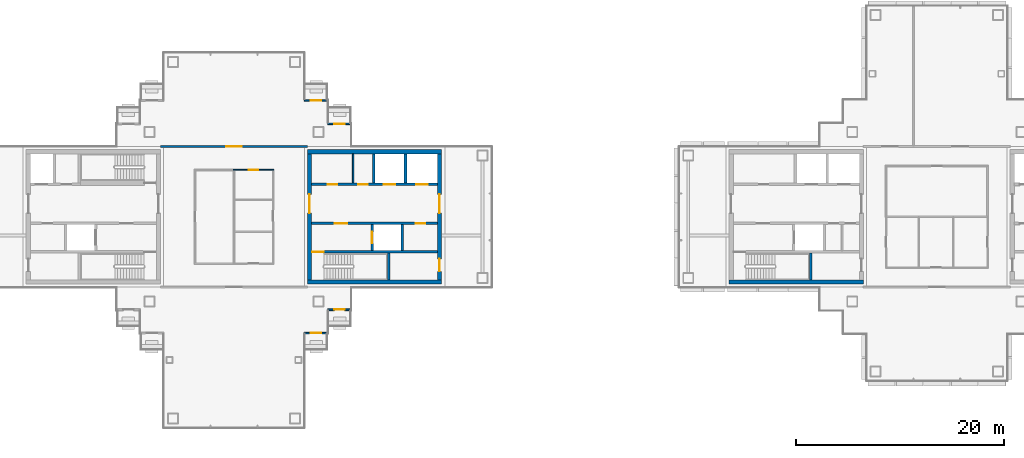
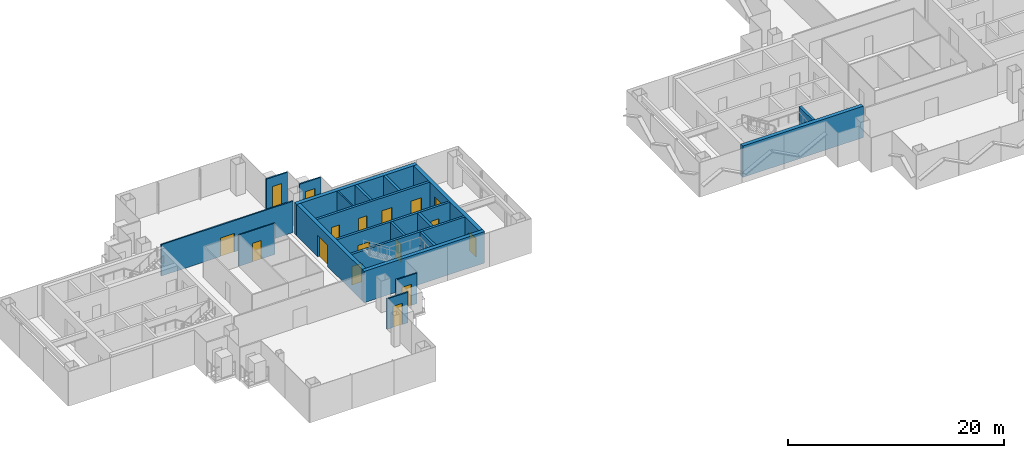
# One storey, part 10 of 17: 21 walls, 17 doors, 17 openings.
"""IFC4 building model written with IfcOpenShell, lengths in metres."""

import ifcopenshell
import ifcopenshell.guid

model = None  # the IFC model being written
_history = None  # IfcOwnerHistory: only IFC2X3 demands one
_inside = {}  # id of a spatial element -> (the spatial element, [elements in it])
_under = {}  # id of a project, library or spatial element -> (it, [spatial elements below it])
_declared = {}  # id of a project -> (the project, [libraries it declares])
_typed = {}  # id of a type object -> (the type object, [elements of that type])
_made_of = {}  # id of a material, layer set ... -> (it, [elements and type objects made of it])


def new_model(schema):
    """Start an empty IFC model of exactly this schema.

    Asked for "IFC4X3", IfcOpenShell would pick the latest addendum, in which some entities
    have other attributes; the version numbers below select the first issue.
    IFC2X3 requires an IfcOwnerHistory on every rooted entity: one is made here for all.
    """
    global model, _history
    if schema == "IFC4X3":
        model = ifcopenshell.file(schema_version=(4, 3, 0, 0))
    else:
        model = ifcopenshell.file(schema=schema)
    _inside.clear()
    _under.clear()
    _declared.clear()
    _typed.clear()
    _made_of.clear()
    _history = None
    if model.schema == "IFC2X3":
        org = make("IfcOrganization", Name="unknown")
        user = make(
            "IfcPersonAndOrganization",
            ThePerson=make("IfcPerson", FamilyName="unknown"),
            TheOrganization=org,
        )
        app = make(
            "IfcApplication",
            ApplicationDeveloper=org,
            Version="unknown",
            ApplicationFullName="unknown",
            ApplicationIdentifier="unknown",
        )
        _history = make(
            "IfcOwnerHistory",
            OwningUser=user,
            OwningApplication=app,
            ChangeAction="ADDED",
            CreationDate=0,
        )
    return model


def make(cls, **values):
    """One entity of the class cls with the attributes given. An attribute that is None is left unset."""
    return model.create_entity(
        cls, **{name: value for name, value in values.items() if value is not None}
    )


def rooted(cls, **values):
    """An entity with a GlobalId (a new one), such as an element, a storey or a relation."""
    return make(cls, GlobalId=ifcopenshell.guid.new(), OwnerHistory=_history, **values)


def si_unit(unit_type, name, prefix=None):
    """IfcSIUnit, for example si_unit("LENGTHUNIT", "METRE", prefix="MILLI")."""
    return make("IfcSIUnit", UnitType=unit_type, Prefix=prefix, Name=name)


def assignment(units):
    """IfcUnitAssignment: the units of a project."""
    return None if units is None else make("IfcUnitAssignment", Units=units)


def point(xyz):
    """IfcCartesianPoint."""
    return None if xyz is None else make("IfcCartesianPoint", Coordinates=xyz)


def direction(xyz):
    """IfcDirection."""
    return None if xyz is None else make("IfcDirection", DirectionRatios=xyz)


def frame(location, z_axis=None, x_axis=None):
    """IfcAxis2Placement3D, a coordinate frame: its origin and axes. An axis left out is left unset."""
    return make(
        "IfcAxis2Placement3D",
        Location=point(location),
        Axis=direction(z_axis),
        RefDirection=direction(x_axis),
    )


def frame_2d(location, x_axis=None):
    """IfcAxis2Placement2D, a coordinate frame in the plane: its origin and x axis."""
    return make(
        "IfcAxis2Placement2D", Location=point(location), RefDirection=direction(x_axis)
    )


def origin():
    """The frame at (0, 0, 0) with its axes left unset."""
    return frame((0.0, 0.0, 0.0))


def place(relative_to, where):
    """IfcLocalPlacement: puts the frame where relative to a parent placement (None: the world)."""
    return make(
        "IfcLocalPlacement", PlacementRelTo=relative_to, RelativePlacement=where
    )


def context(
    kind, dimensions, precision=None, world=None, true_north=None, identifier=None
):
    """IfcGeometricRepresentationContext, for example the 3D "Model" context."""
    return make(
        "IfcGeometricRepresentationContext",
        ContextIdentifier=identifier,
        ContextType=kind,
        CoordinateSpaceDimension=dimensions,
        Precision=precision,
        WorldCoordinateSystem=world,
        TrueNorth=true_north,
    )


def subcontext(parent, identifier, kind, view, scale=None):
    """IfcGeometricRepresentationSubContext, for example "Body" below "Model"."""
    return make(
        "IfcGeometricRepresentationSubContext",
        ContextIdentifier=identifier,
        ContextType=kind,
        ParentContext=parent,
        TargetScale=scale,
        TargetView=view,
    )


def project(units=None, contexts=None):
    """IfcProject with its units and contexts."""
    return rooted(
        "IfcProject",
        Name="project",
        RepresentationContexts=contexts,
        UnitsInContext=assignment(units),
    )


def spatial(cls, under=None, at=None, **own):
    """A site, building, storey or space (cls), placed at a placement, below another one or the project."""
    s = rooted(cls, ObjectPlacement=at, **own)
    if under is not None:
        _under.setdefault(under.id(), (under, []))[1].append(s)
    return s


def profile(cls, at=None, kind="AREA", **sizes):
    """A parametric profile (cls). Its sizes go by their IFC names, for example OverallWidth=200.0."""
    return make(cls, ProfileType=kind, Position=at, **sizes)


def rectangle(**sizes):
    """IfcRectangleProfileDef."""
    return profile("IfcRectangleProfileDef", **sizes)


def extrude(swept, where, along, depth):
    """IfcExtrudedAreaSolid: the profile swept, set in the frame where, extruded along a direction by depth."""
    return make(
        "IfcExtrudedAreaSolid",
        SweptArea=swept,
        Position=where,
        ExtrudedDirection=direction(along),
        Depth=depth,
    )


def shape(context_of_items, identifier, shape_type, items):
    """IfcShapeRepresentation: the items that make up one representation, for example the "Body"."""
    return make(
        "IfcShapeRepresentation",
        ContextOfItems=context_of_items,
        RepresentationIdentifier=identifier,
        RepresentationType=shape_type,
        Items=items,
    )


def material(Name=None, Category=None):
    """IfcMaterial."""
    return make("IfcMaterial", Name=Name, Category=Category)


def layer(
    of_material, thickness, ventilated=None, Name=None, Category=None, Priority=None
):
    """IfcMaterialLayer: one layer of a wall or slab, of a material (None: an air gap)."""
    return make(
        "IfcMaterialLayer",
        Material=of_material,
        LayerThickness=thickness,
        IsVentilated=ventilated,
        Name=Name,
        Category=Category,
        Priority=Priority,
    )


def layer_set(layers, Name=None):
    """IfcMaterialLayerSet."""
    return make("IfcMaterialLayerSet", MaterialLayers=layers, LayerSetName=Name)


def made_of(thing, what):
    """Note that an element or type object is made of a material, layer set ...; save() writes the relation."""
    if what is not None:
        _made_of.setdefault(what.id(), (what, []))[1].append(thing)
    return thing


def type_object(cls, material=None, **own):
    """A type object (cls), such as IfcWallType, which elements share."""
    return made_of(rooted(cls, **own), material)


def element(
    cls,
    number,
    at=None,
    inside=None,
    cuts=None,
    type_object=None,
    material=None,
    context=None,
    identifier="Body",
    shape_type=None,
    held_by="IfcProductDefinitionShape",
    body=None,
    shapes=None,
    **own,
):
    """One element of the class cls, such as IfcWall. Its Tag is "e" and its number.

    at: its placement. inside: the storey or other place that contains it. cuts: it is an
    opening in that element (IfcRelVoidsElement). A single representation is given by context,
    identifier, shape_type and body (its items); several are given by shapes. held_by: the class
    of the entity that holds the representations. save() writes the other relations.
    """
    e = rooted(cls, Tag="e%d" % number, ObjectPlacement=at, **own)
    if body is not None:
        shapes = [shape(context, identifier, shape_type, body)]
    if shapes is not None:
        e.Representation = make(held_by, Representations=shapes)
    if inside is not None:
        _inside.setdefault(inside.id(), (inside, []))[1].append(e)
    if cuts is not None:
        rooted(
            "IfcRelVoidsElement", RelatingBuildingElement=cuts, RelatedOpeningElement=e
        )
    if type_object is not None:
        _typed.setdefault(type_object.id(), (type_object, []))[1].append(e)
    return made_of(e, material)


def fill(opening, filler):
    """IfcRelFillsElement: the door or window that sits in an opening."""
    return rooted(
        "IfcRelFillsElement",
        RelatingOpeningElement=opening,
        RelatedBuildingElement=filler,
    )


def aggregate(whole, parts):
    """IfcRelAggregates: a whole, such as a stair, and the parts it consists of."""
    return rooted("IfcRelAggregates", RelatingObject=whole, RelatedObjects=parts)


def save(model, path):
    """Write the relations noted so far, then the file.

    IfcRelAggregates (storeys below a building ...), IfcRelContainedInSpatialStructure (elements
    in a storey), IfcRelDefinesByType, IfcRelAssociatesMaterial and IfcRelDeclares: one each for
    every whole, place, type object, material and project.
    """
    for whole, parts in _under.values():
        aggregate(whole, parts)
    for where, things in _inside.values():
        rooted(
            "IfcRelContainedInSpatialStructure",
            RelatedElements=things,
            RelatingStructure=where,
        )
    for kind, things in _typed.values():
        rooted("IfcRelDefinesByType", RelatedObjects=things, RelatingType=kind)
    for what, things in _made_of.values():
        rooted("IfcRelAssociatesMaterial", RelatedObjects=things, RelatingMaterial=what)
    for by, libraries in _declared.values():
        rooted("IfcRelDeclares", RelatingContext=by, RelatedDefinitions=libraries)
    model.write(path)


model = new_model("IFC4")

# Units and contexts
model_context = context("Model", 3, precision=1e-05, world=origin(), true_north=direction((0.0, 1.0)))
body_context = subcontext(model_context, "Body", "Model", "MODEL_VIEW")
ifc_project = project(units=[si_unit("LENGTHUNIT", "METRE"), si_unit("AREAUNIT", "SQUARE_METRE"), si_unit("VOLUMEUNIT", "CUBIC_METRE"), si_unit("PLANEANGLEUNIT", "RADIAN"), si_unit("MASSUNIT", "GRAM", prefix="KILO")], contexts=[model_context])

# Site, building, storey
site_placement = place(None, origin())
site = spatial("IfcSite", under=ifc_project, at=site_placement, CompositionType="ELEMENT")
building_placement = place(site_placement, origin())
building = spatial("IfcBuilding", under=site, at=building_placement, Name="Shamsa Quay Exchange Towers", CompositionType="ELEMENT")
storey_placement = place(building_placement, frame((0.0, 0.0, 217.800048828125)))
storey = spatial("IfcBuildingStorey", under=building, at=storey_placement, Name="L52", CompositionType="ELEMENT", Elevation=217.800048828125)

# Wall, opening, door
ifc_material_1 = material(Name="Aluminium EN AW-6063 T6, black anodised, with black enamelled glass infill", Category="aluminium")
ifc_layer_1 = layer(ifc_material_1, 0.14990234375)
ifc_layer_set_1 = layer_set([ifc_layer_1], Name="BALCONY DOOR BAY WALL 150")
wall_type_1 = type_object("IfcWallType", Name="BALCONY DOOR BAY WALL 150", PredefinedType="SOLIDWALL", material=ifc_layer_set_1)
wall_1_placement = place(storey_placement, frame((-24.75, 8.925048828125, 0.0)))
wall_1 = element("IfcWall", 1, at=wall_1_placement, inside=storey, type_object=wall_type_1, Name="Door bay T1-PKEN L52", PredefinedType="SOLIDWALL", context=body_context, shape_type="SweptSolid", body=[
    extrude(rectangle(XDim=2.25, YDim=0.14990234375, at=frame_2d((1.125, 0.0))), origin(), (0.0, 0.0, 1.0), 3.449951171875),
])
opening_1_placement = place(wall_1_placement, frame((0.625, 0.0, 0.0)))
opening_1 = element("IfcOpeningElement", 2, at=opening_1_placement, cuts=wall_1, Name="Opening XD345", PredefinedType="OPENING", context=body_context, shape_type="SweptSolid", body=[
    extrude(rectangle(XDim=1.0, YDim=2.39990234375, at=frame_2d((0.5, 1.199951171875))), frame((0.0, 0.0849609375, 0.0), z_axis=(0.0, -1.0, 0.0), x_axis=(1.0, 0.0, 0.0)), (0.0, 0.0, 1.0), 0.169921875),
])
ifc_material_2 = material(Name="Aluminium EN AW-6063 T6, black anodised, with laminated glass leaf", Category="aluminium")
door_type_1 = type_object("IfcDoorType", Name="BALCONY DOOR 1000x2400", OperationType="SINGLE_SWING_LEFT", PredefinedType="DOOR", material=ifc_material_2)
door_1_placement = place(opening_1_placement, origin())
door_1 = element("IfcDoor", 3, at=door_1_placement, inside=storey, type_object=door_type_1, Name="Balcony door T1-PKEN L52", OperationType="SINGLE_SWING_RIGHT", OverallHeight=2.39990234375, OverallWidth=1.0, PredefinedType="DOOR", context=body_context, shape_type="SweptSolid", body=[
    extrude(rectangle(XDim=1.0, YDim=2.39990234375, at=frame_2d((0.5, 1.199951171875))), frame((0.0, 0.02490234375, 0.0), z_axis=(0.0, -1.0, 0.0), x_axis=(1.0, 0.0, 0.0)), (0.0, 0.0, 1.0), 0.050048828125),
])
fill(opening_1, door_1)

wall_2_placement = place(storey_placement, frame((-27.0, 11.175048828125, 0.0)))
wall_2 = element("IfcWall", 4, at=wall_2_placement, inside=storey, type_object=wall_type_1, Name="Door bay T1-PKEN L52", PredefinedType="SOLIDWALL", context=body_context, shape_type="SweptSolid", body=[
    extrude(rectangle(XDim=2.25, YDim=0.14990234375, at=frame_2d((1.125, 0.0))), origin(), (0.0, 0.0, 1.0), 3.449951171875),
])
opening_2_placement = place(wall_2_placement, frame((0.625, 0.0, 0.0)))
opening_2 = element("IfcOpeningElement", 5, at=opening_2_placement, cuts=wall_2, Name="Opening XD346", PredefinedType="OPENING", context=body_context, shape_type="SweptSolid", body=[
    extrude(rectangle(XDim=1.0, YDim=2.39990234375, at=frame_2d((0.5, 1.199951171875))), frame((0.0, 0.0849609375, 0.0), z_axis=(0.0, -1.0, 0.0), x_axis=(1.0, 0.0, 0.0)), (0.0, 0.0, 1.0), 0.169921875),
])
door_2_placement = place(opening_2_placement, origin())
door_2 = element("IfcDoor", 6, at=door_2_placement, inside=storey, type_object=door_type_1, Name="Balcony door T1-PKEN L52", OperationType="SINGLE_SWING_LEFT", OverallHeight=2.39990234375, OverallWidth=1.0, PredefinedType="DOOR", context=body_context, shape_type="SweptSolid", body=[
    extrude(rectangle(XDim=1.0, YDim=2.39990234375, at=frame_2d((0.5, 1.199951171875))), frame((0.0, 0.02490234375, 0.0), z_axis=(0.0, -1.0, 0.0), x_axis=(1.0, 0.0, 0.0)), (0.0, 0.0, 1.0), 0.050048828125),
])
fill(opening_2, door_2)

wall_3_placement = place(storey_placement, frame((-22.5, -8.925048828125, 0.0), z_axis=(0.0, 0.0, 1.0), x_axis=(-1.0, 0.0, 0.0)))
wall_3 = element("IfcWall", 7, at=wall_3_placement, inside=storey, type_object=wall_type_1, Name="Door bay T1-PKES L52", PredefinedType="SOLIDWALL", context=body_context, shape_type="SweptSolid", body=[
    extrude(rectangle(XDim=2.25, YDim=0.14990234375, at=frame_2d((1.125, 0.0))), origin(), (0.0, 0.0, 1.0), 3.449951171875),
])
opening_3_placement = place(wall_3_placement, frame((0.625, 0.0, 0.0)))
opening_3 = element("IfcOpeningElement", 8, at=opening_3_placement, cuts=wall_3, Name="Opening XD347", PredefinedType="OPENING", context=body_context, shape_type="SweptSolid", body=[
    extrude(rectangle(XDim=1.0, YDim=2.39990234375, at=frame_2d((0.5, 1.199951171875))), frame((0.0, 0.0849609375, 0.0), z_axis=(0.0, -1.0, 0.0), x_axis=(1.0, 0.0, 0.0)), (0.0, 0.0, 1.0), 0.169921875),
])
door_3_placement = place(opening_3_placement, origin())
door_3 = element("IfcDoor", 9, at=door_3_placement, inside=storey, type_object=door_type_1, Name="Balcony door T1-PKES L52", OperationType="SINGLE_SWING_RIGHT", OverallHeight=2.39990234375, OverallWidth=1.0, PredefinedType="DOOR", context=body_context, shape_type="SweptSolid", body=[
    extrude(rectangle(XDim=1.0, YDim=2.39990234375, at=frame_2d((0.5, 1.199951171875))), frame((0.0, 0.02490234375, 0.0), z_axis=(0.0, -1.0, 0.0), x_axis=(1.0, 0.0, 0.0)), (0.0, 0.0, 1.0), 0.050048828125),
])
fill(opening_3, door_3)

wall_4_placement = place(storey_placement, frame((-24.75, -11.175048828125, 0.0), z_axis=(0.0, 0.0, 1.0), x_axis=(-1.0, 0.0, 0.0)))
wall_4 = element("IfcWall", 10, at=wall_4_placement, inside=storey, type_object=wall_type_1, Name="Door bay T1-PKES L52", PredefinedType="SOLIDWALL", context=body_context, shape_type="SweptSolid", body=[
    extrude(rectangle(XDim=2.25, YDim=0.14990234375, at=frame_2d((1.125, 0.0))), origin(), (0.0, 0.0, 1.0), 3.449951171875),
])
opening_4_placement = place(wall_4_placement, frame((0.625, 0.0, 0.0)))
opening_4 = element("IfcOpeningElement", 11, at=opening_4_placement, cuts=wall_4, Name="Opening XD348", PredefinedType="OPENING", context=body_context, shape_type="SweptSolid", body=[
    extrude(rectangle(XDim=1.0, YDim=2.39990234375, at=frame_2d((0.5, 1.199951171875))), frame((0.0, 0.0849609375, 0.0), z_axis=(0.0, -1.0, 0.0), x_axis=(1.0, 0.0, 0.0)), (0.0, 0.0, 1.0), 0.169921875),
])
door_4_placement = place(opening_4_placement, origin())
door_4 = element("IfcDoor", 12, at=door_4_placement, inside=storey, type_object=door_type_1, Name="Balcony door T1-PKES L52", OperationType="SINGLE_SWING_LEFT", OverallHeight=2.39990234375, OverallWidth=1.0, PredefinedType="DOOR", context=body_context, shape_type="SweptSolid", body=[
    extrude(rectangle(XDim=1.0, YDim=2.39990234375, at=frame_2d((0.5, 1.199951171875))), frame((0.0, 0.02490234375, 0.0), z_axis=(0.0, -1.0, 0.0), x_axis=(1.0, 0.0, 0.0)), (0.0, 0.0, 1.0), 0.050048828125),
])
fill(opening_4, door_4)

# Walls
ifc_material_3 = material(Name="Concrete C60/75", Category="concrete")
ifc_layer_2 = layer(ifc_material_3, 0.39990234375)
ifc_layer_set_2 = layer_set([ifc_layer_2], Name="CORE WALL 400 C60/75")
wall_type_2 = type_object("IfcWallType", Name="CORE WALL 400 C60/75", PredefinedType="SHEAR", material=ifc_layer_set_2)
for number, where, name in (
    (13, (-26.699951171875, -6.25, 0.0), "Core wall T1A-R24-PS"),
    (14, (-26.699951171875, 6.25, 0.0), "Core wall T1A-R24-PN"),
):
    element("IfcWall", number, at=place(storey_placement, frame(where)), inside=storey, type_object=wall_type_2, Name=name, PredefinedType="SHEAR", context=body_context, shape_type="SweptSolid", body=[
        extrude(rectangle(XDim=12.89990234375, YDim=0.39990234375, at=frame_2d((6.449951171875, 0.0))), origin(), (0.0, 0.0, 1.0), 3.550048828125),
    ])

# Wall, opening, door
wall_5_placement = place(storey_placement, frame((-26.5, 6.050048828125, 0.0), z_axis=(0.0, 0.0, 1.0), x_axis=(0.0, -1.0, 0.0)))
wall_5 = element("IfcWall", 15, at=wall_5_placement, inside=storey, type_object=wall_type_2, Name="Core wall T1A-R24-PF", PredefinedType="SHEAR", context=body_context, shape_type="SweptSolid", body=[
    extrude(rectangle(XDim=12.10009765625, YDim=0.39990234375, at=frame_2d((6.050048828125, 0.0))), origin(), (0.0, 0.0, 1.0), 3.550048828125),
])
opening_5_placement = place(wall_5_placement, frame((3.89990234375, 0.0, 0.0)))
opening_5 = element("IfcOpeningElement", 16, at=opening_5_placement, cuts=wall_5, Name="Opening T1A-R24-LBD01", PredefinedType="OPENING", context=body_context, shape_type="SweptSolid", body=[
    extrude(rectangle(XDim=1.800048828125, YDim=2.39990234375, at=frame_2d((0.89990234375, 1.199951171875))), frame((0.0, 0.2099609375, 0.0), z_axis=(0.0, -1.0, 0.0), x_axis=(1.0, 0.0, 0.0)), (0.0, 0.0, 1.0), 0.419921875),
])
ifc_material_4 = material(Name="Steel, fire rated", Category="steel")
door_type_2 = type_object("IfcDoorType", Name="LIFT LOBBY DOOR PAIR 1800", OperationType="DOUBLE_DOOR_SINGLE_SWING", PredefinedType="DOOR", material=ifc_material_4)
door_5_placement = place(opening_5_placement, origin())
door_5 = element("IfcDoor", 17, at=door_5_placement, inside=storey, type_object=door_type_2, Name="T1A-R24-LBD01", OperationType="DOUBLE_DOOR_SINGLE_SWING", OverallHeight=2.39990234375, OverallWidth=1.800048828125, PredefinedType="DOOR", context=body_context, shape_type="SweptSolid", body=[
    extrude(rectangle(XDim=1.800048828125, YDim=2.39990234375, at=frame_2d((0.89990234375, 1.199951171875))), frame((0.0, 0.02490234375, 0.0), z_axis=(0.0, -1.0, 0.0), x_axis=(1.0, 0.0, 0.0)), (0.0, 0.0, 1.0), 0.050048828125),
])
fill(opening_5, door_5)

# Wall, openings, doors
wall_6_placement = place(storey_placement, frame((-14.0, 6.050048828125, 0.0), z_axis=(0.0, 0.0, 1.0), x_axis=(0.0, -1.0, 0.0)))
wall_6 = element("IfcWall", 18, at=wall_6_placement, inside=storey, type_object=wall_type_2, Name="Core wall T1A-R24-PB", PredefinedType="SHEAR", context=body_context, shape_type="SweptSolid", body=[
    extrude(rectangle(XDim=12.10009765625, YDim=0.39990234375, at=frame_2d((6.050048828125, 0.0))), origin(), (0.0, 0.0, 1.0), 3.550048828125),
])
opening_6_placement = place(wall_6_placement, frame((10.10009765625, 0.0, 0.0)))
opening_6 = element("IfcOpeningElement", 19, at=opening_6_placement, cuts=wall_6, Name="Opening T1A-R24-RD02", PredefinedType="OPENING", context=body_context, shape_type="SweptSolid", body=[
    extrude(rectangle(XDim=1.199951171875, YDim=2.10009765625, at=frame_2d((0.60009765625, 1.050048828125))), frame((0.0, 0.2099609375, 0.0), z_axis=(0.0, -1.0, 0.0), x_axis=(1.0, 0.0, 0.0)), (0.0, 0.0, 1.0), 0.419921875),
])
opening_7_placement = place(wall_6_placement, frame((3.89990234375, 0.0, 0.0)))
opening_7 = element("IfcOpeningElement", 20, at=opening_7_placement, cuts=wall_6, Name="Opening T1A-R24-LBD03", PredefinedType="OPENING", context=body_context, shape_type="SweptSolid", body=[
    extrude(rectangle(XDim=1.800048828125, YDim=2.39990234375, at=frame_2d((0.89990234375, 1.199951171875))), frame((0.0, 0.2099609375, 0.0), z_axis=(0.0, -1.0, 0.0), x_axis=(1.0, 0.0, 0.0)), (0.0, 0.0, 1.0), 0.419921875),
])
door_6_placement = place(opening_7_placement, origin())
door_6 = element("IfcDoor", 21, at=door_6_placement, inside=storey, type_object=door_type_2, Name="T1A-R24-LBD03", OperationType="DOUBLE_DOOR_SINGLE_SWING", OverallHeight=2.39990234375, OverallWidth=1.800048828125, PredefinedType="DOOR", context=body_context, shape_type="SweptSolid", body=[
    extrude(rectangle(XDim=1.800048828125, YDim=2.39990234375, at=frame_2d((0.89990234375, 1.199951171875))), frame((0.0, 0.02490234375, 0.0), z_axis=(0.0, -1.0, 0.0), x_axis=(1.0, 0.0, 0.0)), (0.0, 0.0, 1.0), 0.050048828125),
])
fill(opening_7, door_6)
door_type_3 = type_object("IfcDoorType", Name="RISER ACCESS DOOR 1200", OperationType="SINGLE_SWING_LEFT", PredefinedType="DOOR", material=ifc_material_4)
door_7_placement = place(opening_6_placement, origin())
door_7 = element("IfcDoor", 22, at=door_7_placement, inside=storey, type_object=door_type_3, Name="T1A-R24-RD02", OperationType="SINGLE_SWING_RIGHT", OverallHeight=2.10009765625, OverallWidth=1.199951171875, PredefinedType="DOOR", context=body_context, shape_type="SweptSolid", body=[
    extrude(rectangle(XDim=1.199951171875, YDim=2.10009765625, at=frame_2d((0.60009765625, 1.050048828125))), frame((0.0, 0.02490234375, 0.0), z_axis=(0.0, -1.0, 0.0), x_axis=(1.0, 0.0, 0.0)), (0.0, 0.0, 1.0), 0.050048828125),
])
fill(opening_6, door_7)

# Walls
wall_7_placement = place(storey_placement, frame((13.800048828125, -6.25, 0.0)))
element("IfcWall", 23, at=wall_7_placement, inside=storey, type_object=wall_type_2, Name="Core wall T2A-R24-PS", PredefinedType="SHEAR", context=body_context, shape_type="SweptSolid", body=[
    extrude(rectangle(XDim=12.89990234375, YDim=0.39990234375, at=frame_2d((6.449951171875, 0.0))), origin(), (0.0, 0.0, 1.0), 3.550048828125),
])
ifc_material_5 = material(Name="Gypsum board on steel studs, EI 60", Category="steel")
ifc_layer_3 = layer(ifc_material_5, 0.14990234375)
ifc_layer_set_3 = layer_set([ifc_layer_3], Name="FIRE PARTITION 150")
wall_type_3 = type_object("IfcWallType", Name="FIRE PARTITION 150", PredefinedType="PARTITIONING", material=ifc_layer_set_3)
wall_8_placement = place(storey_placement, frame((-22.300048828125, 3.25, 0.0), z_axis=(0.0, 0.0, 1.0), x_axis=(0.0, 1.0, 0.0)))
element("IfcWall", 24, at=wall_8_placement, inside=storey, type_object=wall_type_3, Name="Partition T1A-R24-FC0", PredefinedType="PARTITIONING", context=body_context, shape_type="SweptSolid", body=[
    extrude(rectangle(XDim=2.800048828125, YDim=0.14990234375, at=frame_2d((1.39990234375, 0.0))), origin(), (0.0, 0.0, 1.0), 3.550048828125),
])

# Wall, opening, door
ifc_material_6 = material(Name="Gypsum board partition on metal studs")
ifc_layer_4 = layer(ifc_material_6, 0.10009765625)
ifc_layer_set_4 = layer_set([ifc_layer_4], Name="Partition 100 mm NOT RATED")
wall_type_4 = type_object("IfcWallType", Name="Partition 100 mm NOT RATED", PredefinedType="PARTITIONING", material=ifc_layer_set_4)
wall_9_placement = place(storey_placement, frame((-29.949951171875, 4.5, 0.0), z_axis=(0.0, 0.0, 1.0), x_axis=(-1.0, 0.0, 0.0)))
wall_9 = element("IfcWall", 25, at=wall_9_placement, inside=storey, type_object=wall_type_4, Name="Partition T1-R24-W06", PredefinedType="PARTITIONING", context=body_context, shape_type="SweptSolid", body=[
    extrude(rectangle(XDim=3.862548828125, YDim=0.10009765625, at=frame_2d((1.93115234375, 0.0))), origin(), (0.0, 0.0, 1.0), 3.550048828125),
])
opening_8_placement = place(wall_9_placement, frame((1.47509765625, 0.0, 0.0)))
opening_8 = element("IfcOpeningElement", 26, at=opening_8_placement, cuts=wall_9, Name="Opening T1-R24-D05", PredefinedType="OPENING", context=body_context, shape_type="SweptSolid", body=[
    extrude(rectangle(XDim=0.89990234375, YDim=2.10009765625, at=frame_2d((0.449951171875, 1.050048828125))), frame((0.0, 0.06005859375, 0.0), z_axis=(0.0, -1.0, 0.0), x_axis=(1.0, 0.0, 0.0)), (0.0, 0.0, 1.0), 0.1201171875),
])
ifc_material_7 = material(Name="Timber door leaf in a metal frame", Category="wood")
door_type_4 = type_object("IfcDoorType", Name="Door 900x2100 NOT RATED", OperationType="NOTDEFINED", PredefinedType="DOOR", material=ifc_material_7)
door_8_placement = place(opening_8_placement, origin())
door_8 = element("IfcDoor", 27, at=door_8_placement, inside=storey, type_object=door_type_4, Name="Door T1-R24-D05", OperationType="SINGLE_SWING_LEFT", OverallHeight=2.10009765625, OverallWidth=0.89990234375, PredefinedType="DOOR", context=body_context, shape_type="SweptSolid", body=[
    extrude(rectangle(XDim=0.89990234375, YDim=2.10009765625, at=frame_2d((0.449951171875, 1.050048828125))), frame((0.0, 0.02490234375, 0.0), z_axis=(0.0, -1.0, 0.0), x_axis=(1.0, 0.0, 0.0)), (0.0, 0.0, 1.0), 0.050048828125),
])
fill(opening_8, door_8)

ifc_layer_5 = layer(ifc_material_6, 0.14990234375)
ifc_layer_set_5 = layer_set([ifc_layer_5], Name="Partition 150 mm EI 60")
wall_type_5 = type_object("IfcWallType", Name="Partition 150 mm EI 60", PredefinedType="PARTITIONING", material=ifc_layer_set_5)
wall_10_placement = place(storey_placement, frame((-40.800048828125, 6.75, 0.0)))
wall_10 = element("IfcWall", 28, at=wall_10_placement, inside=storey, type_object=wall_type_5, Name="Partition T1-R24-W07", PredefinedType="PARTITIONING", context=body_context, shape_type="SweptSolid", body=[
    extrude(rectangle(XDim=14.10009765625, YDim=0.14990234375, at=frame_2d((7.050048828125, 0.0))), origin(), (0.0, 0.0, 1.0), 3.550048828125),
])
opening_9_placement = place(wall_10_placement, frame((6.300048828125, 0.0, 0.0)))
opening_9 = element("IfcOpeningElement", 29, at=opening_9_placement, cuts=wall_10, Name="Opening T1-R24-D01", PredefinedType="OPENING", context=body_context, shape_type="SweptSolid", body=[
    extrude(rectangle(XDim=1.5, YDim=2.10009765625, at=frame_2d((0.75, 1.050048828125))), frame((0.0, 0.0849609375, 0.0), z_axis=(0.0, -1.0, 0.0), x_axis=(1.0, 0.0, 0.0)), (0.0, 0.0, 1.0), 0.169921875),
])
door_type_5 = type_object("IfcDoorType", Name="Door 1500x2100 FD30S pair", OperationType="NOTDEFINED", PredefinedType="DOOR", material=ifc_material_7)
door_9_placement = place(opening_9_placement, origin())
door_9 = element("IfcDoor", 30, at=door_9_placement, inside=storey, type_object=door_type_5, Name="Door T1-R24-D01", OperationType="DOUBLE_DOOR_SINGLE_SWING", OverallHeight=2.10009765625, OverallWidth=1.5, PredefinedType="DOOR", context=body_context, shape_type="SweptSolid", body=[
    extrude(rectangle(XDim=1.5, YDim=2.10009765625, at=frame_2d((0.75, 1.050048828125))), frame((0.0, 0.02490234375, 0.0), z_axis=(0.0, -1.0, 0.0), x_axis=(1.0, 0.0, 0.0)), (0.0, 0.0, 1.0), 0.050048828125),
])
fill(opening_9, door_9)

ifc_material_8 = material(Name="Concrete C50/60", Category="concrete")
ifc_layer_6 = layer(ifc_material_8, 0.25)
ifc_layer_set_6 = layer_set([ifc_layer_6], Name="SHAFT WALL 250 C50/60")
wall_type_6 = type_object("IfcWallType", Name="SHAFT WALL 250 C50/60", PredefinedType="SHEAR", material=ifc_layer_set_6)
wall_11_placement = place(storey_placement, frame((-14.199951171875, -3.375, 0.0), z_axis=(0.0, 0.0, 1.0), x_axis=(-1.0, 0.0, 0.0)))
wall_11 = element("IfcWall", 31, at=wall_11_placement, inside=storey, type_object=wall_type_6, Name="Shaft wall T1A-R24-STL", PredefinedType="SHEAR", context=body_context, shape_type="SweptSolid", body=[
    extrude(rectangle(XDim=12.10009765625, YDim=0.25, at=frame_2d((6.050048828125, 0.0))), origin(), (0.0, 0.0, 1.0), 3.550048828125),
])
opening_10_placement = place(wall_11_placement, frame((10.949951171875, 0.0, 0.0)))
opening_10 = element("IfcOpeningElement", 32, at=opening_10_placement, cuts=wall_11, Name="Opening T1A-R24-SD04", PredefinedType="OPENING", context=body_context, shape_type="SweptSolid", body=[
    extrude(rectangle(XDim=1.10009765625, YDim=2.10009765625, at=frame_2d((0.550048828125, 1.050048828125))), frame((0.0, 0.135009765625, 0.0), z_axis=(0.0, -1.0, 0.0), x_axis=(1.0, 0.0, 0.0)), (0.0, 0.0, 1.0), 0.27001953125),
])
door_type_6 = type_object("IfcDoorType", Name="STAIR DOOR 1100", OperationType="SINGLE_SWING_LEFT", PredefinedType="DOOR", material=ifc_material_4)
door_10_placement = place(opening_10_placement, origin())
door_10 = element("IfcDoor", 33, at=door_10_placement, inside=storey, type_object=door_type_6, Name="T1A-R24-SD04", OperationType="SINGLE_SWING_RIGHT", OverallHeight=2.10009765625, OverallWidth=1.10009765625, PredefinedType="DOOR", context=body_context, shape_type="SweptSolid", body=[
    extrude(rectangle(XDim=1.10009765625, YDim=2.10009765625, at=frame_2d((0.550048828125, 1.050048828125))), frame((0.0, 0.02490234375, 0.0), z_axis=(0.0, -1.0, 0.0), x_axis=(1.0, 0.0, 0.0)), (0.0, 0.0, 1.0), 0.050048828125),
])
fill(opening_10, door_10)

# Wall
wall_12_placement = place(storey_placement, frame((-18.875, -6.050048828125, 0.0), z_axis=(0.0, 0.0, 1.0), x_axis=(0.0, 1.0, 0.0)))
element("IfcWall", 34, at=wall_12_placement, inside=storey, type_object=wall_type_6, Name="Shaft wall T1A-R24-STF", PredefinedType="SHEAR", context=body_context, shape_type="SweptSolid", body=[
    extrude(rectangle(XDim=2.550048828125, YDim=0.25, at=frame_2d((1.27490234375, 0.0))), origin(), (0.0, 0.0, 1.0), 3.550048828125),
])

# Wall, openings, doors
wall_13_placement = place(storey_placement, frame((-14.199951171875, -0.625, 0.0), z_axis=(0.0, 0.0, 1.0), x_axis=(-1.0, 0.0, 0.0)))
wall_13 = element("IfcWall", 35, at=wall_13_placement, inside=storey, type_object=wall_type_6, Name="Shaft wall T1A-R24-B", PredefinedType="SHEAR", context=body_context, shape_type="SweptSolid", body=[
    extrude(rectangle(XDim=12.10009765625, YDim=0.25, at=frame_2d((6.050048828125, 0.0))), origin(), (0.0, 0.0, 1.0), 3.550048828125),
])
opening_11_placement = place(wall_13_placement, frame((8.64990234375, 0.0, 0.0)))
opening_11 = element("IfcOpeningElement", 36, at=opening_11_placement, cuts=wall_13, Name="Opening T1A-R24-FD05", PredefinedType="OPENING", context=body_context, shape_type="SweptSolid", body=[
    extrude(rectangle(XDim=1.199951171875, YDim=2.10009765625, at=frame_2d((0.60009765625, 1.050048828125))), frame((0.0, 0.135009765625, 0.0), z_axis=(0.0, -1.0, 0.0), x_axis=(1.0, 0.0, 0.0)), (0.0, 0.0, 1.0), 0.27001953125),
])
opening_12_placement = place(wall_13_placement, frame((1.175048828125, 0.0, 0.0)))
opening_12 = element("IfcOpeningElement", 37, at=opening_12_placement, cuts=wall_13, Name="Opening T1A-R24-SV06", PredefinedType="OPENING", context=body_context, shape_type="SweptSolid", body=[
    extrude(rectangle(XDim=0.89990234375, YDim=2.10009765625, at=frame_2d((0.449951171875, 1.050048828125))), frame((0.0, 0.135009765625, 0.0), z_axis=(0.0, -1.0, 0.0), x_axis=(1.0, 0.0, 0.0)), (0.0, 0.0, 1.0), 0.27001953125),
])
door_type_7 = type_object("IfcDoorType", Name="FIRE SERVICE LOBBY DOOR 1200", OperationType="SINGLE_SWING_LEFT", PredefinedType="DOOR", material=ifc_material_4)
door_11_placement = place(opening_11_placement, origin())
door_11 = element("IfcDoor", 38, at=door_11_placement, inside=storey, type_object=door_type_7, Name="T1A-R24-FD05", OperationType="SINGLE_SWING_RIGHT", OverallHeight=2.10009765625, OverallWidth=1.199951171875, PredefinedType="DOOR", context=body_context, shape_type="SweptSolid", body=[
    extrude(rectangle(XDim=1.199951171875, YDim=2.10009765625, at=frame_2d((0.60009765625, 1.050048828125))), frame((0.0, 0.02490234375, 0.0), z_axis=(0.0, -1.0, 0.0), x_axis=(1.0, 0.0, 0.0)), (0.0, 0.0, 1.0), 0.050048828125),
])
fill(opening_11, door_11)
door_type_8 = type_object("IfcDoorType", Name="SERVICE ROOM DOOR 900", OperationType="SINGLE_SWING_LEFT", PredefinedType="DOOR", material=ifc_material_4)
door_12_placement = place(opening_12_placement, origin())
door_12 = element("IfcDoor", 39, at=door_12_placement, inside=storey, type_object=door_type_8, Name="T1A-R24-SV06", OperationType="SINGLE_SWING_LEFT", OverallHeight=2.10009765625, OverallWidth=0.89990234375, PredefinedType="DOOR", context=body_context, shape_type="SweptSolid", body=[
    extrude(rectangle(XDim=0.89990234375, YDim=2.10009765625, at=frame_2d((0.449951171875, 1.050048828125))), frame((0.0, 0.02490234375, 0.0), z_axis=(0.0, -1.0, 0.0), x_axis=(1.0, 0.0, 0.0)), (0.0, 0.0, 1.0), 0.050048828125),
])
fill(opening_12, door_12)

# Wall, opening, door
wall_14_placement = place(storey_placement, frame((-20.47509765625, -3.25, 0.0), z_axis=(0.0, 0.0, 1.0), x_axis=(0.0, 1.0, 0.0)))
wall_14 = element("IfcWall", 40, at=wall_14_placement, inside=storey, type_object=wall_type_6, Name="Shaft wall T1A-R24-FFF", PredefinedType="SHEAR", context=body_context, shape_type="SweptSolid", body=[
    extrude(rectangle(XDim=2.5, YDim=0.25, at=frame_2d((1.25, 0.0))), origin(), (0.0, 0.0, 1.0), 3.550048828125),
])
opening_13_placement = place(wall_14_placement, frame((0.699951171875, 0.0, 0.0)))
opening_13 = element("IfcOpeningElement", 41, at=opening_13_placement, cuts=wall_14, Name="Opening T1A-R24-LDF07", PredefinedType="OPENING", context=body_context, shape_type="SweptSolid", body=[
    extrude(rectangle(XDim=1.10009765625, YDim=2.10009765625, at=frame_2d((0.550048828125, 1.050048828125))), frame((0.0, 0.135009765625, 0.0), z_axis=(0.0, -1.0, 0.0), x_axis=(1.0, 0.0, 0.0)), (0.0, 0.0, 1.0), 0.27001953125),
])
door_type_9 = type_object("IfcDoorType", Name="FIRE SERVICE LANDING DOOR 1100", OperationType="SLIDING_TO_LEFT", PredefinedType="DOOR", material=ifc_material_4)
door_13_placement = place(opening_13_placement, origin())
door_13 = element("IfcDoor", 42, at=door_13_placement, inside=storey, type_object=door_type_9, Name="T1A-R24-LDF07", OperationType="SLIDING_TO_LEFT", OverallHeight=2.10009765625, OverallWidth=1.10009765625, PredefinedType="DOOR", context=body_context, shape_type="SweptSolid", body=[
    extrude(rectangle(XDim=1.10009765625, YDim=2.10009765625, at=frame_2d((0.550048828125, 1.050048828125))), frame((0.0, 0.02490234375, 0.0), z_axis=(0.0, -1.0, 0.0), x_axis=(1.0, 0.0, 0.0)), (0.0, 0.0, 1.0), 0.050048828125),
])
fill(opening_13, door_13)

# Wall
wall_15_placement = place(storey_placement, frame((-17.574951171875, -3.25, 0.0), z_axis=(0.0, 0.0, 1.0), x_axis=(0.0, 1.0, 0.0)))
element("IfcWall", 43, at=wall_15_placement, inside=storey, type_object=wall_type_6, Name="Shaft wall T1A-R24-FFB", PredefinedType="SHEAR", context=body_context, shape_type="SweptSolid", body=[
    extrude(rectangle(XDim=2.5, YDim=0.25, at=frame_2d((1.25, 0.0))), origin(), (0.0, 0.0, 1.0), 3.550048828125),
])

# Wall, openings, doors
wall_16_placement = place(storey_placement, frame((-26.300048828125, 3.125, 0.0)))
wall_16 = element("IfcWall", 44, at=wall_16_placement, inside=storey, type_object=wall_type_6, Name="Shaft wall T1A-R24-N", PredefinedType="SHEAR", context=body_context, shape_type="SweptSolid", body=[
    extrude(rectangle(XDim=12.10009765625, YDim=0.25, at=frame_2d((6.050048828125, 0.0))), origin(), (0.0, 0.0, 1.0), 3.550048828125),
])
opening_14_placement = place(wall_16_placement, frame((6.949951171875, 0.0, 0.0)))
opening_14 = element("IfcOpeningElement", 45, at=opening_14_placement, cuts=wall_16, Name="Opening T1A-R24-LD08", PredefinedType="OPENING", context=body_context, shape_type="SweptSolid", body=[
    extrude(rectangle(XDim=1.10009765625, YDim=2.10009765625, at=frame_2d((0.550048828125, 1.050048828125))), frame((0.0, 0.135009765625, 0.0), z_axis=(0.0, -1.0, 0.0), x_axis=(1.0, 0.0, 0.0)), (0.0, 0.0, 1.0), 0.27001953125),
])
opening_15_placement = place(wall_16_placement, frame((10.074951171875, 0.0, 0.0)))
opening_15 = element("IfcOpeningElement", 46, at=opening_15_placement, cuts=wall_16, Name="Opening T1A-R24-LD09", PredefinedType="OPENING", context=body_context, shape_type="SweptSolid", body=[
    extrude(rectangle(XDim=1.10009765625, YDim=2.10009765625, at=frame_2d((0.550048828125, 1.050048828125))), frame((0.0, 0.135009765625, 0.0), z_axis=(0.0, -1.0, 0.0), x_axis=(1.0, 0.0, 0.0)), (0.0, 0.0, 1.0), 0.27001953125),
])
opening_16_placement = place(wall_16_placement, frame((1.550048828125, 0.0, 0.0)))
opening_16 = element("IfcOpeningElement", 47, at=opening_16_placement, cuts=wall_16, Name="Opening T1A-R24-SV10", PredefinedType="OPENING", context=body_context, shape_type="SweptSolid", body=[
    extrude(rectangle(XDim=0.89990234375, YDim=2.10009765625, at=frame_2d((0.449951171875, 1.050048828125))), frame((0.0, 0.135009765625, 0.0), z_axis=(0.0, -1.0, 0.0), x_axis=(1.0, 0.0, 0.0)), (0.0, 0.0, 1.0), 0.27001953125),
])
opening_17_placement = place(wall_16_placement, frame((4.47509765625, 0.0, 0.0)))
opening_17 = element("IfcOpeningElement", 48, at=opening_17_placement, cuts=wall_16, Name="Opening T1A-R24-SV11", PredefinedType="OPENING", context=body_context, shape_type="SweptSolid", body=[
    extrude(rectangle(XDim=0.89990234375, YDim=2.10009765625, at=frame_2d((0.449951171875, 1.050048828125))), frame((0.0, 0.135009765625, 0.0), z_axis=(0.0, -1.0, 0.0), x_axis=(1.0, 0.0, 0.0)), (0.0, 0.0, 1.0), 0.27001953125),
])
door_type_10 = type_object("IfcDoorType", Name="LANDING DOOR 1100", OperationType="SLIDING_TO_LEFT", PredefinedType="DOOR", material=ifc_material_4)
door_14_placement = place(opening_14_placement, origin())
door_14 = element("IfcDoor", 49, at=door_14_placement, inside=storey, type_object=door_type_10, Name="T1A-R24-LD08", OperationType="SLIDING_TO_LEFT", OverallHeight=2.10009765625, OverallWidth=1.10009765625, PredefinedType="DOOR", context=body_context, shape_type="SweptSolid", body=[
    extrude(rectangle(XDim=1.10009765625, YDim=2.10009765625, at=frame_2d((0.550048828125, 1.050048828125))), frame((0.0, 0.02490234375, 0.0), z_axis=(0.0, -1.0, 0.0), x_axis=(1.0, 0.0, 0.0)), (0.0, 0.0, 1.0), 0.050048828125),
])
fill(opening_14, door_14)
door_15_placement = place(opening_15_placement, origin())
door_15 = element("IfcDoor", 50, at=door_15_placement, inside=storey, type_object=door_type_10, Name="T1A-R24-LD09", OperationType="SLIDING_TO_LEFT", OverallHeight=2.10009765625, OverallWidth=1.10009765625, PredefinedType="DOOR", context=body_context, shape_type="SweptSolid", body=[
    extrude(rectangle(XDim=1.10009765625, YDim=2.10009765625, at=frame_2d((0.550048828125, 1.050048828125))), frame((0.0, 0.02490234375, 0.0), z_axis=(0.0, -1.0, 0.0), x_axis=(1.0, 0.0, 0.0)), (0.0, 0.0, 1.0), 0.050048828125),
])
fill(opening_15, door_15)
door_16_placement = place(opening_16_placement, origin())
door_16 = element("IfcDoor", 51, at=door_16_placement, inside=storey, type_object=door_type_8, Name="T1A-R24-SV10", OperationType="SINGLE_SWING_LEFT", OverallHeight=2.10009765625, OverallWidth=0.89990234375, PredefinedType="DOOR", context=body_context, shape_type="SweptSolid", body=[
    extrude(rectangle(XDim=0.89990234375, YDim=2.10009765625, at=frame_2d((0.449951171875, 1.050048828125))), frame((0.0, 0.02490234375, 0.0), z_axis=(0.0, -1.0, 0.0), x_axis=(1.0, 0.0, 0.0)), (0.0, 0.0, 1.0), 0.050048828125),
])
fill(opening_16, door_16)
door_17_placement = place(opening_17_placement, origin())
door_17 = element("IfcDoor", 52, at=door_17_placement, inside=storey, type_object=door_type_8, Name="T1A-R24-SV11", OperationType="SINGLE_SWING_LEFT", OverallHeight=2.10009765625, OverallWidth=0.89990234375, PredefinedType="DOOR", context=body_context, shape_type="SweptSolid", body=[
    extrude(rectangle(XDim=0.89990234375, YDim=2.10009765625, at=frame_2d((0.449951171875, 1.050048828125))), frame((0.0, 0.02490234375, 0.0), z_axis=(0.0, -1.0, 0.0), x_axis=(1.0, 0.0, 0.0)), (0.0, 0.0, 1.0), 0.050048828125),
])
fill(opening_17, door_17)

# Walls
for number, where, z_axis, x_axis, name in (
    (53, (-20.324951171875, 3.25, 0.0), (0.0, 0.0, 1.0), (0.0, 1.0, 0.0), "Shaft wall T1A-R24-D1"),
    (54, (-17.27490234375, 3.25, 0.0), (0.0, 0.0, 1.0), (0.0, 1.0, 0.0), "Shaft wall T1A-R24-D2"),
):
    element("IfcWall", number, at=place(storey_placement, frame(where, z_axis=z_axis, x_axis=x_axis)), inside=storey, type_object=wall_type_6, Name=name, PredefinedType="SHEAR", context=body_context, shape_type="SweptSolid", body=[
        extrude(rectangle(XDim=2.800048828125, YDim=0.25, at=frame_2d((1.39990234375, 0.0))), origin(), (0.0, 0.0, 1.0), 3.550048828125),
    ])
wall_17_placement = place(storey_placement, frame((21.625, -6.050048828125, 0.0), z_axis=(0.0, 0.0, 1.0), x_axis=(0.0, 1.0, 0.0)))
element("IfcWall", 55, at=wall_17_placement, inside=storey, type_object=wall_type_6, Name="Shaft wall T2A-R24-STF", PredefinedType="SHEAR", context=body_context, shape_type="SweptSolid", body=[
    extrude(rectangle(XDim=2.550048828125, YDim=0.25, at=frame_2d((1.27490234375, 0.0))), origin(), (0.0, 0.0, 1.0), 3.550048828125),
])

save(model, "model.ifc")
